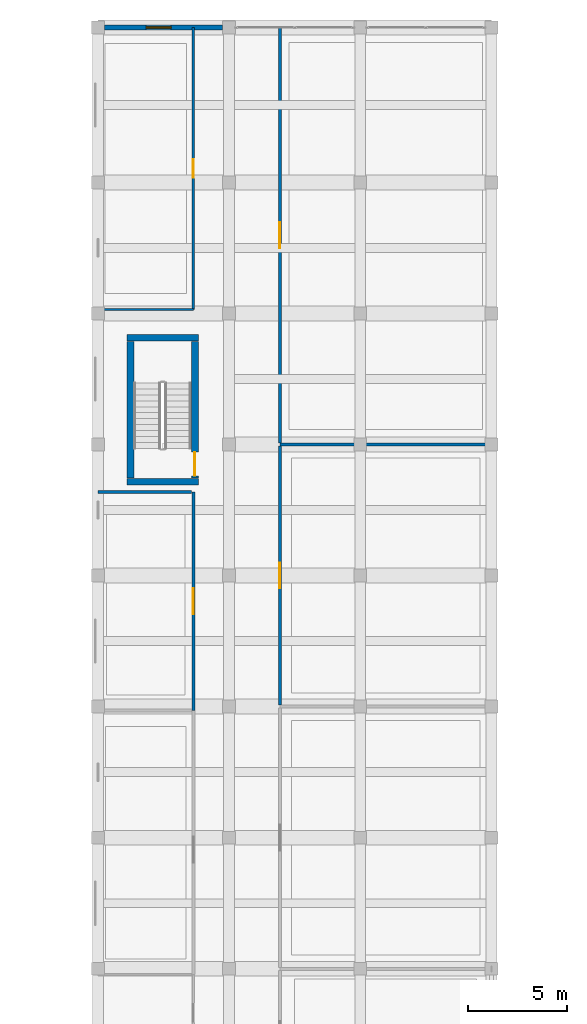
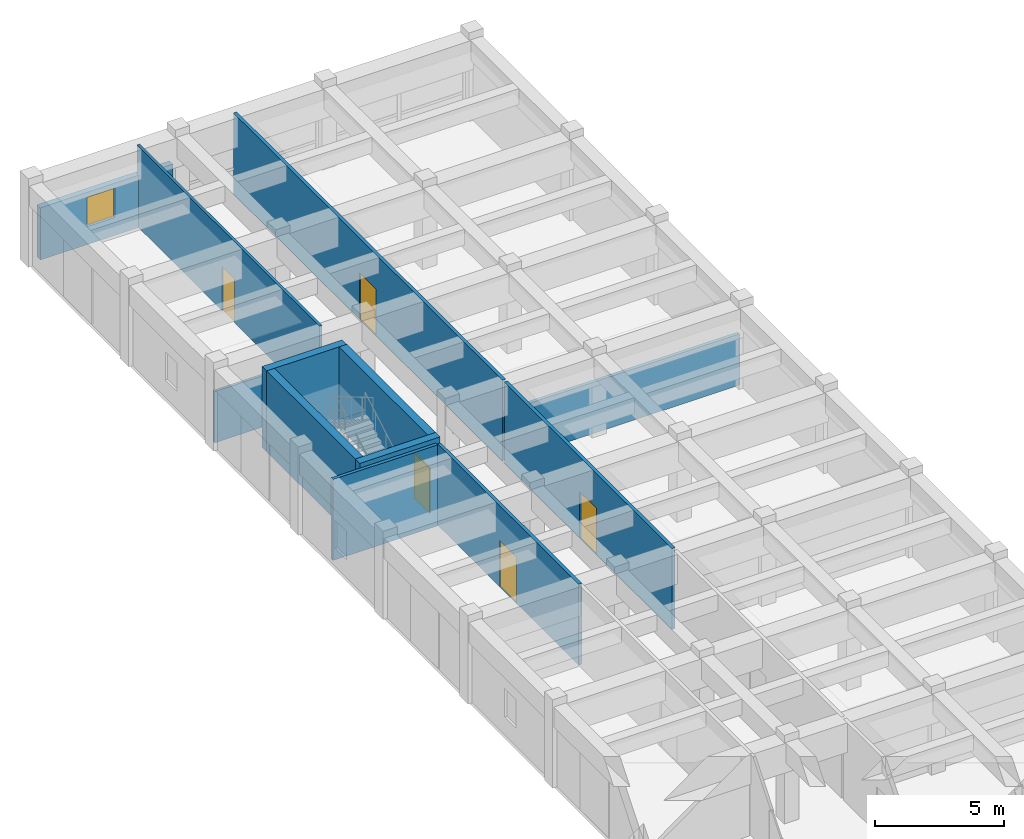
# One storey, part 131 of 147: 12 walls, 5 doors, 1 window, 6 openings.
"""IFC4 building model written with IfcOpenShell, lengths in metres."""

from ifc_helpers import new_model, si_unit, direction, frame, frame_2d, origin, place, context, subcontext, project, spatial, rectangle, extrude, material, layer, layer_set, type_object, element, fill, save


model = new_model("IFC4")

# Units and contexts
model_context = context("Model", 3, precision=1e-05, world=origin(), true_north=direction((0.0, 1.0)))
body_context = subcontext(model_context, "Body", "Model", "MODEL_VIEW")
ifc_project = project(units=[si_unit("LENGTHUNIT", "METRE"), si_unit("AREAUNIT", "SQUARE_METRE"), si_unit("VOLUMEUNIT", "CUBIC_METRE"), si_unit("PLANEANGLEUNIT", "RADIAN"), si_unit("MASSUNIT", "GRAM", prefix="KILO")], contexts=[model_context])

# Site, building, storey
site_placement = place(None, origin())
site = spatial("IfcSite", under=ifc_project, at=site_placement, CompositionType="ELEMENT")
building_placement = place(site_placement, origin())
building = spatial("IfcBuilding", under=site, at=building_placement, Name="Karori Crest Natural Sciences Institute", CompositionType="ELEMENT")
storey_placement = place(building_placement, frame((0.0, 0.0, 9.10009765625)))
storey = spatial("IfcBuildingStorey", under=building, at=storey_placement, Name="L02", CompositionType="ELEMENT", Elevation=9.10009765625)

# Walls
ifc_material_1 = material(Name="Concrete 50 MPa", Category="concrete")
ifc_layer_1 = layer(ifc_material_1, 0.35009765625, Name="Concrete 50 MPa")
ifc_layer_set_1 = layer_set([ifc_layer_1], Name="Concrete 50 MPa")
wall_type_1 = type_object("IfcWallType", Name="IWT-02", PredefinedType="SHEAR", material=ifc_layer_set_1)
for number, where, z_axis, x_axis, name in (
    (1, (8.85009765625, 139.324951171875, 0.0), (0.0, 0.0, 1.0), (1.0, 0.0, 0.0), "Shear wall IW-0209"),
    (2, (8.85009765625, 146.574951171875, 0.0), (0.0, 0.0, 1.0), (1.0, 0.0, 0.0), "Shear wall IW-0210"),
):
    element("IfcWall", number, at=place(storey_placement, frame(where, z_axis=z_axis, x_axis=x_axis)), inside=storey, type_object=wall_type_1, Name=name, PredefinedType="SHEAR", context=body_context, shape_type="SweptSolid", body=[
        extrude(rectangle(XDim=3.599853515625, YDim=0.35009765625, at=frame_2d((1.7998046875, 0.0))), origin(), (0.0, 0.0, 1.0), 3.849853515625),
    ])
wall_1_placement = place(storey_placement, frame((9.02490234375, 139.501953125, 0.0), z_axis=(0.0, 0.0, 1.0), x_axis=(0.0, 1.0, 0.0)))
element("IfcWall", 3, at=wall_1_placement, inside=storey, type_object=wall_type_1, Name="Shear wall IW-0211", PredefinedType="SHEAR", context=body_context, shape_type="SweptSolid", body=[
    extrude(rectangle(XDim=6.89599609375, YDim=0.35009765625, at=frame_2d((3.447998046875, 0.0))), origin(), (0.0, 0.0, 1.0), 3.849853515625),
])

# Wall, opening, door
wall_2_placement = place(storey_placement, frame((12.27490234375, 139.501953125, 0.0), z_axis=(0.0, 0.0, 1.0), x_axis=(0.0, 1.0, 0.0)))
wall_2 = element("IfcWall", 4, at=wall_2_placement, inside=storey, type_object=wall_type_1, Name="Shear wall IW-0212", PredefinedType="SHEAR", context=body_context, shape_type="SweptSolid", body=[
    extrude(rectangle(XDim=6.89599609375, YDim=0.35009765625, at=frame_2d((3.447998046875, 0.0))), origin(), (0.0, 0.0, 1.0), 3.849853515625),
])
opening_1_placement = place(wall_2_placement, frame((0.1201171875, 0.0, 0.0)))
opening_1 = element("IfcOpeningElement", 5, at=opening_1_placement, cuts=wall_2, Name="Opening ID-0053", PredefinedType="OPENING", context=body_context, shape_type="SweptSolid", body=[
    extrude(rectangle(XDim=1.199951171875, YDim=2.14990234375, at=frame_2d((0.60009765625, 1.074951171875))), frame((0.0, 0.18505859375, 0.0), z_axis=(0.0, -1.0, 0.0), x_axis=(1.0, 0.0, 0.0)), (0.0, 0.0, 1.0), 0.3701171875),
])
ifc_material_2 = material(Name="Stainless steel 316 and fire-rated timber", Category="steel")
door_type_1 = type_object("IfcDoorType", Name="IDT-01", OperationType="NOTDEFINED", PredefinedType="DOOR", material=ifc_material_2)
door_1_placement = place(opening_1_placement, origin())
door_1 = element("IfcDoor", 6, at=door_1_placement, inside=storey, type_object=door_type_1, Name="Stair ST-06 fire door ID-0053", OperationType="SINGLE_SWING_LEFT", OverallHeight=2.14990234375, OverallWidth=1.199951171875, PredefinedType="DOOR", context=body_context, shape_type="SweptSolid", body=[
    extrude(rectangle(XDim=1.199951171875, YDim=2.14990234375, at=frame_2d((0.60009765625, 1.074951171875))), frame((0.0, 0.02490234375, 0.0), z_axis=(0.0, -1.0, 0.0), x_axis=(1.0, 0.0, 0.0)), (0.0, 0.0, 1.0), 0.050048828125),
])
fill(opening_1, door_1)

# Wall
ifc_material_3 = material(Name="Clean-room insulated fire partition")
ifc_layer_2 = layer(ifc_material_3, 0.14990234375, Name="Clean-room insulated fire partition")
ifc_layer_set_2 = layer_set([ifc_layer_2], Name="Clean-room insulated fire partition")
wall_type_2 = type_object("IfcWallType", Name="IWT-06", PredefinedType="PARTITIONING", material=ifc_layer_set_2)
wall_3_placement = place(storey_placement, frame((7.39990234375, 138.800048828125, 0.0), z_axis=(0.0, 0.0, 1.0), x_axis=(1.0, 0.0, 0.0)))
element("IfcWall", 7, at=wall_3_placement, inside=storey, type_object=wall_type_2, Name="Partition wall IW-0965", PredefinedType="PARTITIONING", context=body_context, shape_type="SweptSolid", body=[
    extrude(rectangle(XDim=4.697998046875, YDim=0.14990234375, at=frame_2d((2.34912109375, 0.0))), origin(), (0.0, 0.0, 1.0), 3.849853515625),
])

# Wall, opening, door
wall_4_placement = place(storey_placement, frame((12.199951171875, 127.802001953125, 0.0), z_axis=(0.0, 0.0, 1.0), x_axis=(0.0, 1.0, 0.0)))
wall_4 = element("IfcWall", 8, at=wall_4_placement, inside=storey, type_object=wall_type_2, Name="Partition wall IW-0966", PredefinedType="PARTITIONING", context=body_context, shape_type="SweptSolid", body=[
    extrude(rectangle(XDim=10.998046875, YDim=0.14990234375, at=frame_2d((5.4990234375, 0.0))), origin(), (0.0, 0.0, 1.0), 3.849853515625),
])
opening_2_placement = place(wall_4_placement, frame((4.84912109375, 0.0, 0.0)))
opening_2 = element("IfcOpeningElement", 9, at=opening_2_placement, cuts=wall_4, Name="Opening ID-0255", PredefinedType="OPENING", context=body_context, shape_type="SweptSolid", body=[
    extrude(rectangle(XDim=1.300048828125, YDim=2.199951171875, at=frame_2d((0.64990234375, 1.10009765625))), frame((0.0, 0.0849609375, 0.0), z_axis=(0.0, -1.0, 0.0), x_axis=(1.0, 0.0, 0.0)), (0.0, 0.0, 1.0), 0.169921875),
])
door_type_2 = type_object("IfcDoorType", Name="IDT-04", OperationType="NOTDEFINED", PredefinedType="DOOR", material=ifc_material_2)
door_2_placement = place(opening_2_placement, origin())
door_2 = element("IfcDoor", 10, at=door_2_placement, inside=storey, type_object=door_type_2, Name="Optical Metrology Preparation Room door ID-0255", OperationType="SINGLE_SWING_LEFT", OverallHeight=2.199951171875, OverallWidth=1.300048828125, PredefinedType="DOOR", context=body_context, shape_type="SweptSolid", body=[
    extrude(rectangle(XDim=1.300048828125, YDim=2.199951171875, at=frame_2d((0.64990234375, 1.10009765625))), frame((0.0, 0.02490234375, 0.0), z_axis=(0.0, -1.0, 0.0), x_axis=(1.0, 0.0, 0.0)), (0.0, 0.0, 1.0), 0.050048828125),
])
fill(opening_2, door_2)

# Wall
wall_5_placement = place(storey_placement, frame((16.550048828125, 141.199951171875, 0.0), z_axis=(0.0, 0.0, 1.0), x_axis=(1.0, 0.0, 0.0)))
element("IfcWall", 11, at=wall_5_placement, inside=storey, type_object=wall_type_2, Name="Partition wall IW-0977", PredefinedType="PARTITIONING", context=body_context, shape_type="SweptSolid", body=[
    extrude(rectangle(XDim=10.508056640625, YDim=0.14990234375, at=frame_2d((5.25390625, 0.0))), origin(), (0.0, 0.0, 1.0), 2.434814453125),
])

# Wall, opening, door
wall_6_placement = place(storey_placement, frame((16.550048828125, 128.076904296875, 0.0), z_axis=(0.0, 0.0, 1.0), x_axis=(0.0, 1.0, 0.0)))
wall_6 = element("IfcWall", 12, at=wall_6_placement, inside=storey, type_object=wall_type_2, Name="Partition wall IW-0978", PredefinedType="PARTITIONING", context=body_context, shape_type="SweptSolid", body=[
    extrude(rectangle(XDim=13.046142578125, YDim=0.14990234375, at=frame_2d((6.52294921875, 0.0))), origin(), (0.0, 0.0, 1.0), 3.849853515625),
])
opening_3_placement = place(wall_6_placement, frame((5.873046875, 0.0, 0.0)))
opening_3 = element("IfcOpeningElement", 13, at=opening_3_placement, cuts=wall_6, Name="Opening ID-0260", PredefinedType="OPENING", context=body_context, shape_type="SweptSolid", body=[
    extrude(rectangle(XDim=1.300048828125, YDim=2.199951171875, at=frame_2d((0.64990234375, 1.10009765625))), frame((0.0, 0.0849609375, 0.0), z_axis=(0.0, -1.0, 0.0), x_axis=(1.0, 0.0, 0.0)), (0.0, 0.0, 1.0), 0.169921875),
])
door_3_placement = place(opening_3_placement, origin())
door_3 = element("IfcDoor", 14, at=door_3_placement, inside=storey, type_object=door_type_2, Name="ISO Class 7 Bio-MEMS Clean Room door ID-0260", OperationType="SINGLE_SWING_RIGHT", OverallHeight=2.199951171875, OverallWidth=1.300048828125, PredefinedType="DOOR", context=body_context, shape_type="SweptSolid", body=[
    extrude(rectangle(XDim=1.300048828125, YDim=2.199951171875, at=frame_2d((0.64990234375, 1.10009765625))), frame((0.0, 0.02490234375, 0.0), z_axis=(0.0, -1.0, 0.0), x_axis=(1.0, 0.0, 0.0)), (0.0, 0.0, 1.0), 0.050048828125),
])
fill(opening_3, door_3)

wall_7_placement = place(storey_placement, frame((16.550048828125, 141.277099609375, 0.0), z_axis=(0.0, 0.0, 1.0), x_axis=(0.0, 1.0, 0.0)))
wall_7 = element("IfcWall", 15, at=wall_7_placement, inside=storey, type_object=wall_type_2, Name="Partition wall IW-0979", PredefinedType="PARTITIONING", context=body_context, shape_type="SweptSolid", body=[
    extrude(rectangle(XDim=20.9228515625, YDim=0.14990234375, at=frame_2d((10.46142578125, 0.0))), origin(), (0.0, 0.0, 1.0), 3.849853515625),
])
opening_4_placement = place(wall_7_placement, frame((9.8115234375, 0.0, 0.0)))
opening_4 = element("IfcOpeningElement", 16, at=opening_4_placement, cuts=wall_7, Name="Opening ID-0261", PredefinedType="OPENING", context=body_context, shape_type="SweptSolid", body=[
    extrude(rectangle(XDim=1.300048828125, YDim=2.199951171875, at=frame_2d((0.64990234375, 1.10009765625))), frame((0.0, 0.0849609375, 0.0), z_axis=(0.0, -1.0, 0.0), x_axis=(1.0, 0.0, 0.0)), (0.0, 0.0, 1.0), 0.169921875),
])
door_4_placement = place(opening_4_placement, origin())
door_4 = element("IfcDoor", 17, at=door_4_placement, inside=storey, type_object=door_type_2, Name="Laser Interferometry Metrology Suite door ID-0261", OperationType="SINGLE_SWING_LEFT", OverallHeight=2.199951171875, OverallWidth=1.300048828125, PredefinedType="DOOR", context=body_context, shape_type="SweptSolid", body=[
    extrude(rectangle(XDim=1.300048828125, YDim=2.199951171875, at=frame_2d((0.64990234375, 1.10009765625))), frame((0.0, 0.02490234375, 0.0), z_axis=(0.0, -1.0, 0.0), x_axis=(1.0, 0.0, 0.0)), (0.0, 0.0, 1.0), 0.050048828125),
])
fill(opening_4, door_4)

# Wall
ifc_material_4 = material(Name="Write-up office acoustic partition")
ifc_layer_3 = layer(ifc_material_4, 0.1201171875, Name="Write-up office acoustic partition")
ifc_layer_set_3 = layer_set([ifc_layer_3], Name="Write-up office acoustic partition")
wall_type_3 = type_object("IfcWallType", Name="IWT-08", PredefinedType="PARTITIONING", material=ifc_layer_set_3)
wall_8_placement = place(storey_placement, frame((7.39990234375, 148.0, 0.0), z_axis=(0.0, 0.0, 1.0), x_axis=(1.0, 0.0, 0.0)))
element("IfcWall", 18, at=wall_8_placement, inside=storey, type_object=wall_type_3, Name="Partition wall IW-0967", PredefinedType="PARTITIONING", context=body_context, shape_type="SweptSolid", body=[
    extrude(rectangle(XDim=4.800048828125, YDim=0.1201171875, at=frame_2d((2.39990234375, 0.0))), origin(), (0.0, 0.0, 1.0), 2.434814453125),
])

# Wall, opening, door
wall_9_placement = place(storey_placement, frame((12.199951171875, 148.0, 0.0), z_axis=(0.0, 0.0, 1.0), x_axis=(0.0, 1.0, 0.0)))
wall_9 = element("IfcWall", 19, at=wall_9_placement, inside=storey, type_object=wall_type_3, Name="Partition wall IW-0968", PredefinedType="PARTITIONING", context=body_context, shape_type="SweptSolid", body=[
    extrude(rectangle(XDim=14.199951171875, YDim=0.1201171875, at=frame_2d((7.10009765625, 0.0))), origin(), (0.0, 0.0, 1.0), 3.849853515625),
])
opening_5_placement = place(wall_9_placement, frame((6.625, 0.0, 0.0)))
opening_5 = element("IfcOpeningElement", 20, at=opening_5_placement, cuts=wall_9, Name="Opening ID-0256", PredefinedType="OPENING", context=body_context, shape_type="SweptSolid", body=[
    extrude(rectangle(XDim=0.949951171875, YDim=2.10009765625, at=frame_2d((0.47509765625, 1.050048828125))), frame((0.0, 0.070068359375, 0.0), z_axis=(0.0, -1.0, 0.0), x_axis=(1.0, 0.0, 0.0)), (0.0, 0.0, 1.0), 0.14013671875),
])
ifc_material_5 = material(Name="Anodised aluminium and acoustic timber", Category="wood")
door_type_3 = type_object("IfcDoorType", Name="IDT-08", OperationType="NOTDEFINED", PredefinedType="DOOR", material=ifc_material_5)
door_5_placement = place(opening_5_placement, origin())
door_5 = element("IfcDoor", 21, at=door_5_placement, inside=storey, type_object=door_type_3, Name="Instrument Calibration Room door ID-0256", OperationType="SINGLE_SWING_RIGHT", OverallHeight=2.10009765625, OverallWidth=0.949951171875, PredefinedType="DOOR", context=body_context, shape_type="SweptSolid", body=[
    extrude(rectangle(XDim=0.949951171875, YDim=2.10009765625, at=frame_2d((0.47509765625, 1.050048828125))), frame((0.0, 0.02490234375, 0.0), z_axis=(0.0, -1.0, 0.0), x_axis=(1.0, 0.0, 0.0)), (0.0, 0.0, 1.0), 0.050048828125),
])
fill(opening_5, door_5)

# Wall, opening, window
ifc_material_6 = material(Name="Precast concrete 40 MPa", Category="concrete")
ifc_layer_4 = layer(ifc_material_6, 0.260009765625, Name="Precast concrete 40 MPa")
ifc_layer_set_4 = layer_set([ifc_layer_4], Name="Precast concrete 40 MPa")
wall_type_4 = type_object("IfcWallType", Name="WT-03", PredefinedType="SOLIDWALL", material=ifc_layer_set_4)
wall_10_placement = place(storey_placement, frame((7.722900390625, 162.199951171875, 0.0), z_axis=(0.0, 0.0, 1.0), x_axis=(1.0, 0.0, 0.0)))
wall_10 = element("IfcWall", 22, at=wall_10_placement, inside=storey, type_object=wall_type_4, Name="Exterior wall EW-0167", PredefinedType="SOLIDWALL", context=body_context, shape_type="SweptSolid", body=[
    extrude(rectangle(XDim=5.9541015625, YDim=0.260009765625, at=frame_2d((2.97705078125, 0.0))), origin(), (0.0, 0.0, 1.0), 2.47998046875),
])
opening_6_placement = place(wall_10_placement, frame((2.10009765625, 0.0, 0.85009765625)))
opening_6 = element("IfcOpeningElement", 23, at=opening_6_placement, cuts=wall_10, Name="Opening WN-0108", PredefinedType="OPENING", context=body_context, shape_type="SweptSolid", body=[
    extrude(rectangle(XDim=1.25, YDim=1.39990234375, at=frame_2d((0.625, 0.699951171875))), frame((0.0, 0.14013671875, 0.0), z_axis=(0.0, -1.0, 0.0), x_axis=(1.0, 0.0, 0.0)), (0.0, 0.0, 1.0), 0.280029296875),
])
ifc_material_7 = material(Name="Double low-E laminated glass", Category="glass")
window_type = type_object("IfcWindowType", Name="WNT-02", PartitioningType="SINGLE_PANEL", PredefinedType="WINDOW", material=ifc_material_7)
window_placement = place(opening_6_placement, origin())
window = element("IfcWindow", 24, at=window_placement, inside=storey, type_object=window_type, Name="Window WN-0108", OverallHeight=1.39990234375, OverallWidth=1.25, PartitioningType="SINGLE_PANEL", PredefinedType="WINDOW", context=body_context, shape_type="SweptSolid", body=[
    extrude(rectangle(XDim=1.25, YDim=1.39990234375, at=frame_2d((0.625, 0.699951171875))), frame((0.0, 0.030029296875, 0.0), z_axis=(0.0, -1.0, 0.0), x_axis=(1.0, 0.0, 0.0)), (0.0, 0.0, 1.0), 0.06005859375),
])
fill(opening_6, window)

save(model, "model.ifc")
